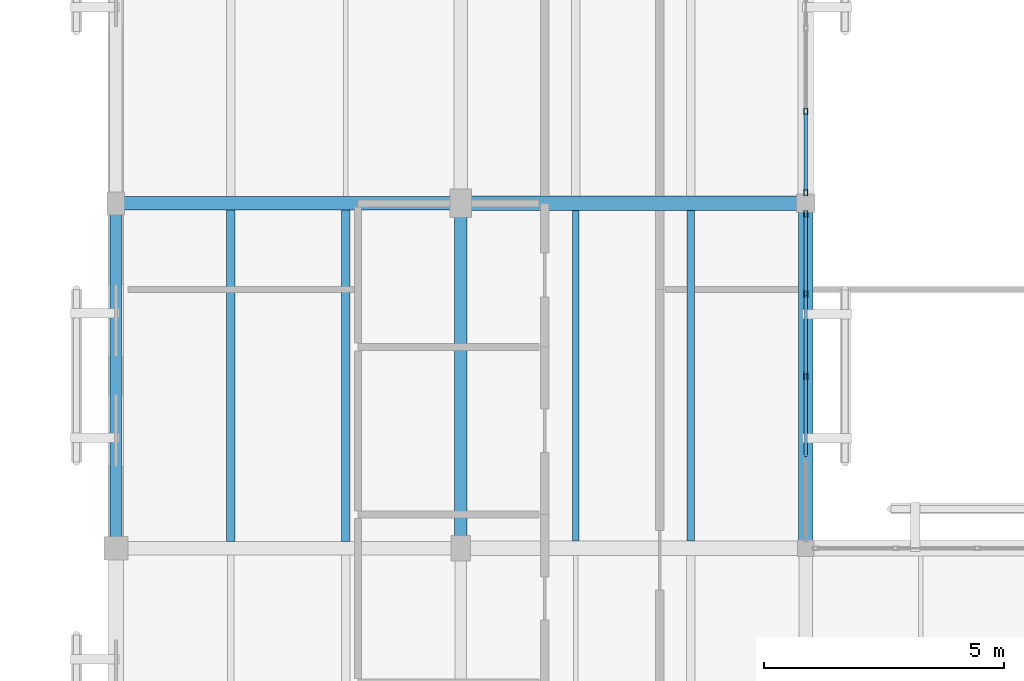
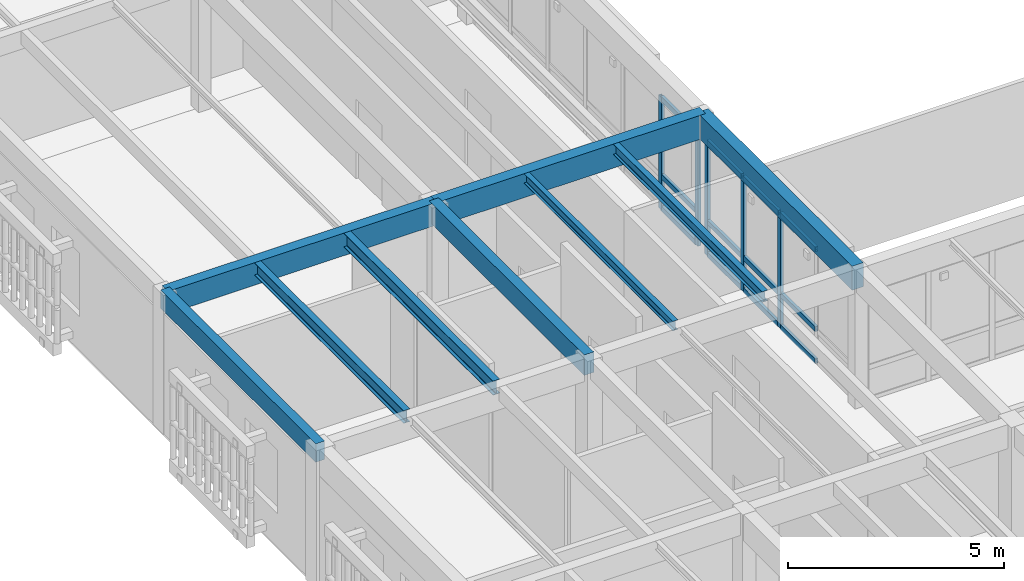
# One storey, part 17 of 61: 17 members, 9 beams, 2 elements without a shape of their own.
"""IFC4 building model written with IfcOpenShell, lengths in metres."""

import ifcopenshell
import ifcopenshell.guid

model = None  # the IFC model being written
_history = None  # IfcOwnerHistory: only IFC2X3 demands one
_inside = {}  # id of a spatial element -> (the spatial element, [elements in it])
_under = {}  # id of a project, library or spatial element -> (it, [spatial elements below it])
_declared = {}  # id of a project -> (the project, [libraries it declares])
_typed = {}  # id of a type object -> (the type object, [elements of that type])
_made_of = {}  # id of a material, layer set ... -> (it, [elements and type objects made of it])


def new_model(schema):
    """Start an empty IFC model of exactly this schema.

    Asked for "IFC4X3", IfcOpenShell would pick the latest addendum, in which some entities
    have other attributes; the version numbers below select the first issue.
    IFC2X3 requires an IfcOwnerHistory on every rooted entity: one is made here for all.
    """
    global model, _history
    if schema == "IFC4X3":
        model = ifcopenshell.file(schema_version=(4, 3, 0, 0))
    else:
        model = ifcopenshell.file(schema=schema)
    _inside.clear()
    _under.clear()
    _declared.clear()
    _typed.clear()
    _made_of.clear()
    _history = None
    if model.schema == "IFC2X3":
        org = make("IfcOrganization", Name="unknown")
        user = make(
            "IfcPersonAndOrganization",
            ThePerson=make("IfcPerson", FamilyName="unknown"),
            TheOrganization=org,
        )
        app = make(
            "IfcApplication",
            ApplicationDeveloper=org,
            Version="unknown",
            ApplicationFullName="unknown",
            ApplicationIdentifier="unknown",
        )
        _history = make(
            "IfcOwnerHistory",
            OwningUser=user,
            OwningApplication=app,
            ChangeAction="ADDED",
            CreationDate=0,
        )
    return model


def make(cls, **values):
    """One entity of the class cls with the attributes given. An attribute that is None is left unset."""
    return model.create_entity(
        cls, **{name: value for name, value in values.items() if value is not None}
    )


def rooted(cls, **values):
    """An entity with a GlobalId (a new one), such as an element, a storey or a relation."""
    return make(cls, GlobalId=ifcopenshell.guid.new(), OwnerHistory=_history, **values)


def si_unit(unit_type, name, prefix=None):
    """IfcSIUnit, for example si_unit("LENGTHUNIT", "METRE", prefix="MILLI")."""
    return make("IfcSIUnit", UnitType=unit_type, Prefix=prefix, Name=name)


def assignment(units):
    """IfcUnitAssignment: the units of a project."""
    return None if units is None else make("IfcUnitAssignment", Units=units)


def point(xyz):
    """IfcCartesianPoint."""
    return None if xyz is None else make("IfcCartesianPoint", Coordinates=xyz)


def direction(xyz):
    """IfcDirection."""
    return None if xyz is None else make("IfcDirection", DirectionRatios=xyz)


def frame(location, z_axis=None, x_axis=None):
    """IfcAxis2Placement3D, a coordinate frame: its origin and axes. An axis left out is left unset."""
    return make(
        "IfcAxis2Placement3D",
        Location=point(location),
        Axis=direction(z_axis),
        RefDirection=direction(x_axis),
    )


def frame_2d(location, x_axis=None):
    """IfcAxis2Placement2D, a coordinate frame in the plane: its origin and x axis."""
    return make(
        "IfcAxis2Placement2D", Location=point(location), RefDirection=direction(x_axis)
    )


def origin():
    """The frame at (0, 0, 0) with its axes left unset."""
    return frame((0.0, 0.0, 0.0))


def origin_2d():
    """The frame at (0, 0) in the plane with its x axis left unset."""
    return frame_2d((0.0, 0.0))


def place(relative_to, where):
    """IfcLocalPlacement: puts the frame where relative to a parent placement (None: the world)."""
    return make(
        "IfcLocalPlacement", PlacementRelTo=relative_to, RelativePlacement=where
    )


def context(
    kind, dimensions, precision=None, world=None, true_north=None, identifier=None
):
    """IfcGeometricRepresentationContext, for example the 3D "Model" context."""
    return make(
        "IfcGeometricRepresentationContext",
        ContextIdentifier=identifier,
        ContextType=kind,
        CoordinateSpaceDimension=dimensions,
        Precision=precision,
        WorldCoordinateSystem=world,
        TrueNorth=true_north,
    )


def subcontext(parent, identifier, kind, view, scale=None):
    """IfcGeometricRepresentationSubContext, for example "Body" below "Model"."""
    return make(
        "IfcGeometricRepresentationSubContext",
        ContextIdentifier=identifier,
        ContextType=kind,
        ParentContext=parent,
        TargetScale=scale,
        TargetView=view,
    )


def project(units=None, contexts=None):
    """IfcProject with its units and contexts."""
    return rooted(
        "IfcProject",
        Name="project",
        RepresentationContexts=contexts,
        UnitsInContext=assignment(units),
    )


def spatial(cls, under=None, at=None, **own):
    """A site, building, storey or space (cls), placed at a placement, below another one or the project."""
    s = rooted(cls, ObjectPlacement=at, **own)
    if under is not None:
        _under.setdefault(under.id(), (under, []))[1].append(s)
    return s


def profile(cls, at=None, kind="AREA", **sizes):
    """A parametric profile (cls). Its sizes go by their IFC names, for example OverallWidth=200.0."""
    return make(cls, ProfileType=kind, Position=at, **sizes)


def rectangle(**sizes):
    """IfcRectangleProfileDef."""
    return profile("IfcRectangleProfileDef", **sizes)


def hollow_rectangle(**sizes):
    """IfcRectangleHollowProfileDef."""
    return profile("IfcRectangleHollowProfileDef", **sizes)


def i_section(**sizes):
    """IfcIShapeProfileDef."""
    return profile("IfcIShapeProfileDef", **sizes)


def extrude(swept, where, along, depth):
    """IfcExtrudedAreaSolid: the profile swept, set in the frame where, extruded along a direction by depth."""
    return make(
        "IfcExtrudedAreaSolid",
        SweptArea=swept,
        Position=where,
        ExtrudedDirection=direction(along),
        Depth=depth,
    )


def shape(context_of_items, identifier, shape_type, items):
    """IfcShapeRepresentation: the items that make up one representation, for example the "Body"."""
    return make(
        "IfcShapeRepresentation",
        ContextOfItems=context_of_items,
        RepresentationIdentifier=identifier,
        RepresentationType=shape_type,
        Items=items,
    )


def material(Name=None, Category=None):
    """IfcMaterial."""
    return make("IfcMaterial", Name=Name, Category=Category)


def layer(
    of_material, thickness, ventilated=None, Name=None, Category=None, Priority=None
):
    """IfcMaterialLayer: one layer of a wall or slab, of a material (None: an air gap)."""
    return make(
        "IfcMaterialLayer",
        Material=of_material,
        LayerThickness=thickness,
        IsVentilated=ventilated,
        Name=Name,
        Category=Category,
        Priority=Priority,
    )


def layer_set(layers, Name=None):
    """IfcMaterialLayerSet."""
    return make("IfcMaterialLayerSet", MaterialLayers=layers, LayerSetName=Name)


def material_profile(
    of_material, cross_section, Name=None, Category=None, Priority=None
):
    """IfcMaterialProfile: a cross section and its material."""
    return make(
        "IfcMaterialProfile",
        Name=Name,
        Material=of_material,
        Profile=cross_section,
        Priority=Priority,
        Category=Category,
    )


def profile_set(profiles, Name=None, composite=None):
    """IfcMaterialProfileSet."""
    return make(
        "IfcMaterialProfileSet",
        Name=Name,
        MaterialProfiles=profiles,
        CompositeProfile=composite,
    )


def made_of(thing, what):
    """Note that an element or type object is made of a material, layer set ...; save() writes the relation."""
    if what is not None:
        _made_of.setdefault(what.id(), (what, []))[1].append(thing)
    return thing


def type_object(cls, material=None, **own):
    """A type object (cls), such as IfcWallType, which elements share."""
    return made_of(rooted(cls, **own), material)


def element(
    cls,
    number,
    at=None,
    inside=None,
    cuts=None,
    type_object=None,
    material=None,
    context=None,
    identifier="Body",
    shape_type=None,
    held_by="IfcProductDefinitionShape",
    body=None,
    shapes=None,
    **own,
):
    """One element of the class cls, such as IfcWall. Its Tag is "e" and its number.

    at: its placement. inside: the storey or other place that contains it. cuts: it is an
    opening in that element (IfcRelVoidsElement). A single representation is given by context,
    identifier, shape_type and body (its items); several are given by shapes. held_by: the class
    of the entity that holds the representations. save() writes the other relations.
    """
    e = rooted(cls, Tag="e%d" % number, ObjectPlacement=at, **own)
    if body is not None:
        shapes = [shape(context, identifier, shape_type, body)]
    if shapes is not None:
        e.Representation = make(held_by, Representations=shapes)
    if inside is not None:
        _inside.setdefault(inside.id(), (inside, []))[1].append(e)
    if cuts is not None:
        rooted(
            "IfcRelVoidsElement", RelatingBuildingElement=cuts, RelatedOpeningElement=e
        )
    if type_object is not None:
        _typed.setdefault(type_object.id(), (type_object, []))[1].append(e)
    return made_of(e, material)


def aggregate(whole, parts):
    """IfcRelAggregates: a whole, such as a stair, and the parts it consists of."""
    return rooted("IfcRelAggregates", RelatingObject=whole, RelatedObjects=parts)


def save(model, path):
    """Write the relations noted so far, then the file.

    IfcRelAggregates (storeys below a building ...), IfcRelContainedInSpatialStructure (elements
    in a storey), IfcRelDefinesByType, IfcRelAssociatesMaterial and IfcRelDeclares: one each for
    every whole, place, type object, material and project.
    """
    for whole, parts in _under.values():
        aggregate(whole, parts)
    for where, things in _inside.values():
        rooted(
            "IfcRelContainedInSpatialStructure",
            RelatedElements=things,
            RelatingStructure=where,
        )
    for kind, things in _typed.values():
        rooted("IfcRelDefinesByType", RelatedObjects=things, RelatingType=kind)
    for what, things in _made_of.values():
        rooted("IfcRelAssociatesMaterial", RelatedObjects=things, RelatingMaterial=what)
    for by, libraries in _declared.values():
        rooted("IfcRelDeclares", RelatingContext=by, RelatedDefinitions=libraries)
    model.write(path)


model = new_model("IFC4")

# Units and contexts
model_context = context("Model", 3, precision=1e-05, world=origin(), true_north=direction((0.0, 1.0)))
body_context = subcontext(model_context, "Body", "Model", "MODEL_VIEW")
ifc_project = project(units=[si_unit("LENGTHUNIT", "METRE"), si_unit("AREAUNIT", "SQUARE_METRE"), si_unit("VOLUMEUNIT", "CUBIC_METRE"), si_unit("PLANEANGLEUNIT", "RADIAN"), si_unit("MASSUNIT", "GRAM", prefix="KILO")], contexts=[model_context])

# Site, building, storey
site_placement = place(None, origin())
site = spatial("IfcSite", under=ifc_project, at=site_placement, CompositionType="ELEMENT")
building_placement = place(site_placement, origin())
building = spatial("IfcBuilding", under=site, at=building_placement, Name="Mazaris Harbour Polytechnic", CompositionType="ELEMENT")
storey_placement = place(building_placement, frame((0.0, 0.0, 18.0)))
storey = spatial("IfcBuildingStorey", under=building, at=storey_placement, Name="L04", CompositionType="ELEMENT", Elevation=18.0)

# Curtain wall, members
ifc_material_1 = material(Name="Anodised Bronze Aluminium and Low-E Glass", Category="aluminium")
ifc_layer = layer(ifc_material_1, 0.159912109375, Name="Anodised Bronze Aluminium and Low-E Glass")
ifc_layer_set = layer_set([ifc_layer], Name="Anodised Bronze Aluminium and Low-E Glass")
curtain_wall_type = type_object("IfcCurtainWallType", Name="Cloister Court Curtain Wall", PredefinedType="NOTDEFINED", material=ifc_layer_set)
curtain_wall_1_placement = place(storey_placement, origin())
curtain_wall_1 = element("IfcCurtainWall", 1, at=curtain_wall_1_placement, inside=storey, type_object=curtain_wall_type, Name="V4 L04 Curtain Wall 171", PredefinedType="NOTDEFINED")
ifc_material_2 = material(Name="Anodised Bronze Steel S355", Category="steel")
ifc_material_profile_1 = material_profile(ifc_material_2, hollow_rectangle(XDim=0.080078125, YDim=0.139892578125, WallThickness=0.00634765625, at=origin_2d()), Name="RHS 80x140x6.3")
ifc_profile_set_1 = profile_set([ifc_material_profile_1], Name="Anodised Bronze Steel S355")
member_type_1 = type_object("IfcMemberType", Name="Curtain Mullion RHS80x140", PredefinedType="MULLION", material=ifc_profile_set_1)
member_1_placement = place(storey_placement, frame((14.39990234375, 39.590087890625, 0.0), z_axis=(0.0, 0.0, 1.0), x_axis=(-1.0, 0.0, 0.0)))
member_1 = element("IfcMember", 2, at=member_1_placement, type_object=member_type_1, Name="CW-02 mullion 3", PredefinedType="MULLION", context=body_context, shape_type="SweptSolid", body=[
    extrude(hollow_rectangle(XDim=0.080078125, YDim=0.139892578125, WallThickness=0.00634765625, at=origin_2d()), origin(), (0.0, 0.0, 1.0), 3.2451171875),
])
member_2_placement = place(storey_placement, frame((14.39990234375, 41.303955078125, 0.0), z_axis=(0.0, 0.0, 1.0), x_axis=(-1.0, 0.0, 0.0)))
member_2 = element("IfcMember", 3, at=member_2_placement, type_object=member_type_1, Name="CW-02 mullion 4", PredefinedType="MULLION", context=body_context, shape_type="SweptSolid", body=[
    extrude(hollow_rectangle(XDim=0.080078125, YDim=0.139892578125, WallThickness=0.00634765625, at=origin_2d()), origin(), (0.0, 0.0, 1.0), 3.2451171875),
])
member_3_placement = place(storey_placement, frame((14.39990234375, 42.97802734375, 0.0), z_axis=(0.0, 0.0, 1.0), x_axis=(-1.0, 0.0, 0.0)))
member_3 = element("IfcMember", 4, at=member_3_placement, type_object=member_type_1, Name="CW-02 mullion 5", PredefinedType="MULLION", context=body_context, shape_type="SweptSolid", body=[
    extrude(hollow_rectangle(XDim=0.080078125, YDim=0.139892578125, WallThickness=0.00634765625, at=origin_2d()), origin(), (0.0, 0.0, 1.0), 3.2451171875),
])

curtain_wall_2_placement = place(storey_placement, origin())
curtain_wall_2 = element("IfcCurtainWall", 5, at=curtain_wall_2_placement, inside=storey, type_object=curtain_wall_type, Name="V4 L04 Curtain Wall 172", PredefinedType="NOTDEFINED")
member_4_placement = place(storey_placement, frame((14.39990234375, 43.422119140625, 0.0), z_axis=(0.0, 0.0, 1.0), x_axis=(-1.0, 0.0, 0.0)))
member_4 = element("IfcMember", 6, at=member_4_placement, type_object=member_type_1, Name="CW-02 mullion 1", PredefinedType="MULLION", context=body_context, shape_type="SweptSolid", body=[
    extrude(hollow_rectangle(XDim=0.080078125, YDim=0.139892578125, WallThickness=0.00634765625, at=origin_2d()), origin(), (0.0, 0.0, 1.0), 3.18505859375),
])
member_5_placement = place(storey_placement, frame((14.39990234375, 45.117919921875, 0.0), z_axis=(0.0, 0.0, 1.0), x_axis=(-1.0, 0.0, 0.0)))
member_5 = element("IfcMember", 7, at=member_5_placement, type_object=member_type_1, Name="CW-02 mullion 2", PredefinedType="MULLION", context=body_context, shape_type="SweptSolid", body=[
    extrude(hollow_rectangle(XDim=0.080078125, YDim=0.139892578125, WallThickness=0.00634765625, at=origin_2d()), origin(), (0.0, 0.0, 1.0), 3.18505859375),
])

# Member
ifc_material_3 = material(Name="Anodised Bronze Steel S355", Category="steel")
ifc_material_profile_2 = material_profile(ifc_material_3, hollow_rectangle(XDim=0.080078125, YDim=0.139892578125, WallThickness=0.00634765625, at=origin_2d()), Name="RHS 80x140x6.3")
ifc_profile_set_2 = profile_set([ifc_material_profile_2], Name="Anodised Bronze Steel S355")
member_type_2 = type_object("IfcMemberType", Name="Curtain Transom RHS80x140", PredefinedType="USERDEFINED", material=ifc_profile_set_2)
member_6_placement = place(storey_placement, frame((14.39990234375, 37.916015625, 0.0400390625), z_axis=(0.0, 1.0, 0.0), x_axis=(-1.0, 0.0, 0.0)))
member_6 = element("IfcMember", 8, at=member_6_placement, type_object=member_type_2, Name="CW-02 transom 2.1", ObjectType="TRANSOM", PredefinedType="USERDEFINED", context=body_context, shape_type="SweptSolid", body=[
    extrude(hollow_rectangle(XDim=0.080078125, YDim=0.139892578125, WallThickness=0.00634765625, at=origin_2d()), origin(), (0.0, 0.0, 1.0), 1.634033203125),
])

member_7_placement = place(storey_placement, frame((14.39990234375, 37.916015625, 0.949951171875), z_axis=(0.0, 1.0, 0.0), x_axis=(-1.0, 0.0, 0.0)))
member_7 = element("IfcMember", 9, at=member_7_placement, type_object=member_type_2, Name="CW-02 transom 2.2", ObjectType="TRANSOM", PredefinedType="USERDEFINED", context=body_context, shape_type="SweptSolid", body=[
    extrude(hollow_rectangle(XDim=0.080078125, YDim=0.139892578125, WallThickness=0.00634765625, at=origin_2d()), origin(), (0.0, 0.0, 1.0), 1.634033203125),
])

member_8_placement = place(storey_placement, frame((14.39990234375, 37.916015625, 3.205078125), z_axis=(0.0, 1.0, 0.0), x_axis=(-1.0, 0.0, 0.0)))
member_8 = element("IfcMember", 10, at=member_8_placement, type_object=member_type_2, Name="CW-02 transom 2.3", ObjectType="TRANSOM", PredefinedType="USERDEFINED", context=body_context, shape_type="SweptSolid", body=[
    extrude(hollow_rectangle(XDim=0.080078125, YDim=0.139892578125, WallThickness=0.00634765625, at=origin_2d()), origin(), (0.0, 0.0, 1.0), 1.634033203125),
])

member_9_placement = place(storey_placement, frame((14.39990234375, 39.6298828125, 0.0400390625), z_axis=(0.0, 1.0, 0.0), x_axis=(-1.0, 0.0, 0.0)))
member_9 = element("IfcMember", 11, at=member_9_placement, type_object=member_type_2, Name="CW-02 transom 3.1", ObjectType="TRANSOM", PredefinedType="USERDEFINED", context=body_context, shape_type="SweptSolid", body=[
    extrude(hollow_rectangle(XDim=0.080078125, YDim=0.139892578125, WallThickness=0.00634765625, at=origin_2d()), origin(), (0.0, 0.0, 1.0), 1.634033203125),
])

member_10_placement = place(storey_placement, frame((14.39990234375, 39.6298828125, 0.949951171875), z_axis=(0.0, 1.0, 0.0), x_axis=(-1.0, 0.0, 0.0)))
member_10 = element("IfcMember", 12, at=member_10_placement, type_object=member_type_2, Name="CW-02 transom 3.2", ObjectType="TRANSOM", PredefinedType="USERDEFINED", context=body_context, shape_type="SweptSolid", body=[
    extrude(hollow_rectangle(XDim=0.080078125, YDim=0.139892578125, WallThickness=0.00634765625, at=origin_2d()), origin(), (0.0, 0.0, 1.0), 1.634033203125),
])

member_11_placement = place(storey_placement, frame((14.39990234375, 39.6298828125, 3.205078125), z_axis=(0.0, 1.0, 0.0), x_axis=(-1.0, 0.0, 0.0)))
member_11 = element("IfcMember", 13, at=member_11_placement, type_object=member_type_2, Name="CW-02 transom 3.3", ObjectType="TRANSOM", PredefinedType="USERDEFINED", context=body_context, shape_type="SweptSolid", body=[
    extrude(hollow_rectangle(XDim=0.080078125, YDim=0.139892578125, WallThickness=0.00634765625, at=origin_2d()), origin(), (0.0, 0.0, 1.0), 1.634033203125),
])

member_12_placement = place(storey_placement, frame((14.39990234375, 41.343994140625, 0.0400390625), z_axis=(0.0, 1.0, 0.0), x_axis=(-1.0, 0.0, 0.0)))
member_12 = element("IfcMember", 14, at=member_12_placement, type_object=member_type_2, Name="CW-02 transom 4.1", ObjectType="TRANSOM", PredefinedType="USERDEFINED", context=body_context, shape_type="SweptSolid", body=[
    extrude(hollow_rectangle(XDim=0.080078125, YDim=0.139892578125, WallThickness=0.00634765625, at=origin_2d()), origin(), (0.0, 0.0, 1.0), 1.593994140625),
])

member_13_placement = place(storey_placement, frame((14.39990234375, 41.343994140625, 0.949951171875), z_axis=(0.0, 1.0, 0.0), x_axis=(-1.0, 0.0, 0.0)))
member_13 = element("IfcMember", 15, at=member_13_placement, type_object=member_type_2, Name="CW-02 transom 4.2", ObjectType="TRANSOM", PredefinedType="USERDEFINED", context=body_context, shape_type="SweptSolid", body=[
    extrude(hollow_rectangle(XDim=0.080078125, YDim=0.139892578125, WallThickness=0.00634765625, at=origin_2d()), origin(), (0.0, 0.0, 1.0), 1.593994140625),
])

member_14_placement = place(storey_placement, frame((14.39990234375, 41.343994140625, 3.205078125), z_axis=(0.0, 1.0, 0.0), x_axis=(-1.0, 0.0, 0.0)))
member_14 = element("IfcMember", 16, at=member_14_placement, type_object=member_type_2, Name="CW-02 transom 4.3", ObjectType="TRANSOM", PredefinedType="USERDEFINED", context=body_context, shape_type="SweptSolid", body=[
    extrude(hollow_rectangle(XDim=0.080078125, YDim=0.139892578125, WallThickness=0.00634765625, at=origin_2d()), origin(), (0.0, 0.0, 1.0), 1.593994140625),
])

aggregate(curtain_wall_1, [member_1, member_2, member_3, member_6, member_7, member_8, member_9, member_10, member_11, member_12, member_13, member_14])

member_15_placement = place(storey_placement, frame((14.39990234375, 43.4619140625, 0.0400390625), z_axis=(0.0, 1.0, 0.0), x_axis=(-1.0, 0.0, 0.0)))
member_15 = element("IfcMember", 17, at=member_15_placement, type_object=member_type_2, Name="CW-02 transom 1.1", ObjectType="TRANSOM", PredefinedType="USERDEFINED", context=body_context, shape_type="SweptSolid", body=[
    extrude(hollow_rectangle(XDim=0.080078125, YDim=0.139892578125, WallThickness=0.00634765625, at=origin_2d()), origin(), (0.0, 0.0, 1.0), 1.615966796875),
])

member_16_placement = place(storey_placement, frame((14.39990234375, 43.4619140625, 0.949951171875), z_axis=(0.0, 1.0, 0.0), x_axis=(-1.0, 0.0, 0.0)))
member_16 = element("IfcMember", 18, at=member_16_placement, type_object=member_type_2, Name="CW-02 transom 1.2", ObjectType="TRANSOM", PredefinedType="USERDEFINED", context=body_context, shape_type="SweptSolid", body=[
    extrude(hollow_rectangle(XDim=0.080078125, YDim=0.139892578125, WallThickness=0.00634765625, at=origin_2d()), origin(), (0.0, 0.0, 1.0), 1.615966796875),
])

member_17_placement = place(storey_placement, frame((14.39990234375, 43.4619140625, 3.14501953125), z_axis=(0.0, 1.0, 0.0), x_axis=(-1.0, 0.0, 0.0)))
member_17 = element("IfcMember", 19, at=member_17_placement, type_object=member_type_2, Name="CW-02 transom 1.3", ObjectType="TRANSOM", PredefinedType="USERDEFINED", context=body_context, shape_type="SweptSolid", body=[
    extrude(hollow_rectangle(XDim=0.080078125, YDim=0.139892578125, WallThickness=0.00634765625, at=origin_2d()), origin(), (0.0, 0.0, 1.0), 1.615966796875),
])

aggregate(curtain_wall_2, [member_4, member_5, member_15, member_16, member_17])

# Beams
ifc_material_4 = material(Name="Glulam GL32h", Category="wood")
ifc_material_profile_3 = material_profile(ifc_material_4, rectangle(XDim=0.239990234375, YDim=0.52001953125, at=origin_2d()), Name="RECT240x520")
ifc_profile_set_3 = profile_set([ifc_material_profile_3], Name="Glulam GL32h")
beam_type_1 = type_object("IfcBeamType", Name="Glulam Girder 240x520 Exterior", PredefinedType="BEAM", material=ifc_profile_set_3)
beam_1_placement = place(storey_placement, frame((0.0, 36.0, 3.675048828125), z_axis=(0.0, 1.0, 0.0), x_axis=(-1.0, 0.0, 0.0)))
element("IfcBeam", 20, at=beam_1_placement, inside=storey, type_object=beam_type_1, Name="V4 L04 Tie Girder 2400", PredefinedType="BEAM", context=body_context, shape_type="SweptSolid", body=[
    extrude(rectangle(XDim=0.239990234375, YDim=0.52001953125, at=origin_2d()), origin(), (0.0, 0.0, 1.0), 7.199951171875),
])
ifc_material_5 = material(Name="Glulam GL32h", Category="wood")
ifc_material_profile_4 = material_profile(ifc_material_5, rectangle(XDim=0.260009765625, YDim=0.580078125, at=origin_2d()), Name="RECT260x580")
ifc_profile_set_4 = profile_set([ifc_material_profile_4], Name="Glulam GL32h")
beam_type_2 = type_object("IfcBeamType", Name="Glulam Girder 260x580", PredefinedType="BEAM", material=ifc_profile_set_4)
beam_2_placement = place(storey_placement, frame((7.199951171875, 36.0, 3.64501953125), z_axis=(0.0, 1.0, 0.0), x_axis=(-1.0, 0.0, 0.0)))
element("IfcBeam", 21, at=beam_2_placement, inside=storey, type_object=beam_type_2, Name="V4 L04 Tie Girder 2406", PredefinedType="BEAM", context=body_context, shape_type="SweptSolid", body=[
    extrude(rectangle(XDim=0.260009765625, YDim=0.580078125, at=origin_2d()), origin(), (0.0, 0.0, 1.0), 7.199951171875),
])
ifc_material_6 = material(Name="Glulam GL32h", Category="wood")
ifc_material_profile_5 = material_profile(ifc_material_6, rectangle(XDim=0.280029296875, YDim=0.639892578125, at=origin_2d()), Name="RECT280x640")
ifc_profile_set_5 = profile_set([ifc_material_profile_5], Name="Glulam GL32h")
beam_type_3 = type_object("IfcBeamType", Name="Glulam Girder 280x640", PredefinedType="BEAM", material=ifc_profile_set_5)
beam_3_placement = place(storey_placement, frame((0.0, 43.199951171875, 3.614990234375), z_axis=(1.0, 0.0, 0.0), x_axis=(0.0, 1.0, 0.0)))
element("IfcBeam", 22, at=beam_3_placement, inside=storey, type_object=beam_type_3, Name="V4 L04 Girder 2387", PredefinedType="BEAM", context=body_context, shape_type="SweptSolid", body=[
    extrude(rectangle(XDim=0.280029296875, YDim=0.639892578125, at=origin_2d()), origin(), (0.0, 0.0, 1.0), 7.199951171875),
])
ifc_material_7 = material(Name="Glulam GL32h", Category="wood")
ifc_material_profile_6 = material_profile(ifc_material_7, rectangle(XDim=0.300048828125, YDim=0.679931640625, at=origin_2d()), Name="RECT300x680")
ifc_profile_set_6 = profile_set([ifc_material_profile_6], Name="Glulam GL32h")
beam_type_4 = type_object("IfcBeamType", Name="Glulam Girder 300x680", PredefinedType="BEAM", material=ifc_profile_set_6)
for number, where, z_axis, x_axis, name in (
    (23, (7.199951171875, 43.199951171875, 3.594970703125), (1.0, 0.0, 0.0), (0.0, 1.0, 0.0), "V4 L04 Girder 2388"),
    (24, (14.39990234375, 36.0, 3.594970703125), (0.0, 1.0, 0.0), (-1.0, 0.0, 0.0), "V4 L04 Tie Girder 2413"),
):
    element("IfcBeam", number, at=place(storey_placement, frame(where, z_axis=z_axis, x_axis=x_axis)), inside=storey, type_object=beam_type_4, Name=name, PredefinedType="BEAM", context=body_context, shape_type="SweptSolid", body=[
        extrude(rectangle(XDim=0.300048828125, YDim=0.679931640625, at=origin_2d()), origin(), (0.0, 0.0, 1.0), 7.199951171875),
    ])
ifc_material_8 = material(Name="Steel S355", Category="steel")
ifc_material_profile_7 = material_profile(ifc_material_8, i_section(OverallWidth=0.135009765625, OverallDepth=0.27001953125, WebThickness=0.006591796875, FlangeThickness=0.01025390625, FilletRadius=0.014892578125, at=origin_2d()), Name="IPE 270")
ifc_profile_set_7 = profile_set([ifc_material_profile_7], Name="Steel S355")
beam_type_5 = type_object("IfcBeamType", Name="Steel Joist IPE270", PredefinedType="JOIST", material=ifc_profile_set_7)
beam_4_placement = place(storey_placement, frame((9.60009765625, 36.14990234375, 3.800048828125), z_axis=(0.0, 1.0, 0.0), x_axis=(-1.0, 0.0, 0.0)))
element("IfcBeam", 25, at=beam_4_placement, inside=storey, type_object=beam_type_5, Name="V4 L04 Floor Joist 2452", PredefinedType="JOIST", context=body_context, shape_type="SweptSolid", body=[
    extrude(i_section(OverallWidth=0.135009765625, OverallDepth=0.27001953125, WebThickness=0.006591796875, FlangeThickness=0.01025390625, FilletRadius=0.014892578125, at=origin_2d()), origin(), (0.0, 0.0, 1.0), 6.900146484375),
])
ifc_material_9 = material(Name="Steel S355", Category="steel")
ifc_material_profile_8 = material_profile(ifc_material_9, i_section(OverallWidth=0.14990234375, OverallDepth=0.300048828125, WebThickness=0.007080078125, FlangeThickness=0.0107421875, FilletRadius=0.014892578125, at=origin_2d()), Name="IPE 300")
ifc_profile_set_8 = profile_set([ifc_material_profile_8], Name="Steel S355")
beam_type_6 = type_object("IfcBeamType", Name="Steel Joist IPE300", PredefinedType="JOIST", material=ifc_profile_set_8)
beam_5_placement = place(storey_placement, frame((12.0, 36.14990234375, 3.784912109375), z_axis=(0.0, 1.0, 0.0), x_axis=(-1.0, 0.0, 0.0)))
element("IfcBeam", 26, at=beam_5_placement, inside=storey, type_object=beam_type_6, Name="V4 L04 Floor Joist 2453", PredefinedType="JOIST", context=body_context, shape_type="SweptSolid", body=[
    extrude(i_section(OverallWidth=0.14990234375, OverallDepth=0.300048828125, WebThickness=0.007080078125, FlangeThickness=0.0107421875, FilletRadius=0.014892578125, at=origin_2d()), origin(), (0.0, 0.0, 1.0), 6.900146484375),
])
ifc_material_10 = material(Name="Steel S355", Category="steel")
ifc_material_profile_9 = material_profile(ifc_material_10, i_section(OverallWidth=0.169921875, OverallDepth=0.360107421875, WebThickness=0.008056640625, FlangeThickness=0.0126953125, FilletRadius=0.01806640625, at=origin_2d()), Name="IPE 360")
ifc_profile_set_9 = profile_set([ifc_material_profile_9], Name="Steel S355")
beam_type_7 = type_object("IfcBeamType", Name="Steel Joist IPE360", PredefinedType="JOIST", material=ifc_profile_set_9)
beam_6_placement = place(storey_placement, frame((2.39990234375, 36.139892578125, 3.7548828125), z_axis=(0.0, 1.0, 0.0), x_axis=(-1.0, 0.0, 0.0)))
element("IfcBeam", 27, at=beam_6_placement, inside=storey, type_object=beam_type_7, Name="V4 L04 Floor Joist 2440", PredefinedType="JOIST", context=body_context, shape_type="SweptSolid", body=[
    extrude(i_section(OverallWidth=0.169921875, OverallDepth=0.360107421875, WebThickness=0.008056640625, FlangeThickness=0.0126953125, FilletRadius=0.01806640625, at=origin_2d()), origin(), (0.0, 0.0, 1.0), 6.920166015625),
])
ifc_material_11 = material(Name="Steel S355", Category="steel")
ifc_material_profile_10 = material_profile(ifc_material_11, i_section(OverallWidth=0.179931640625, OverallDepth=0.39990234375, WebThickness=0.008544921875, FlangeThickness=0.013427734375, FilletRadius=0.02099609375, at=origin_2d()), Name="IPE 400")
ifc_profile_set_10 = profile_set([ifc_material_profile_10], Name="Steel S355")
beam_type_8 = type_object("IfcBeamType", Name="Steel Joist IPE400", PredefinedType="JOIST", material=ifc_profile_set_10)
beam_7_placement = place(storey_placement, frame((4.800048828125, 36.139892578125, 3.735107421875), z_axis=(0.0, 1.0, 0.0), x_axis=(-1.0, 0.0, 0.0)))
element("IfcBeam", 28, at=beam_7_placement, inside=storey, type_object=beam_type_8, Name="V4 L04 Floor Joist 2441", PredefinedType="JOIST", context=body_context, shape_type="SweptSolid", body=[
    extrude(i_section(OverallWidth=0.179931640625, OverallDepth=0.39990234375, WebThickness=0.008544921875, FlangeThickness=0.013427734375, FilletRadius=0.02099609375, at=origin_2d()), origin(), (0.0, 0.0, 1.0), 6.920166015625),
])

save(model, "model.ifc")
